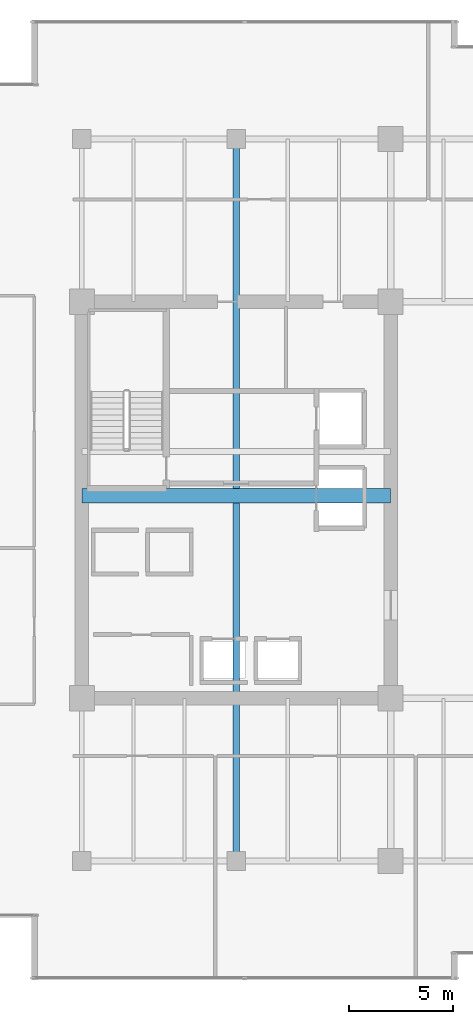
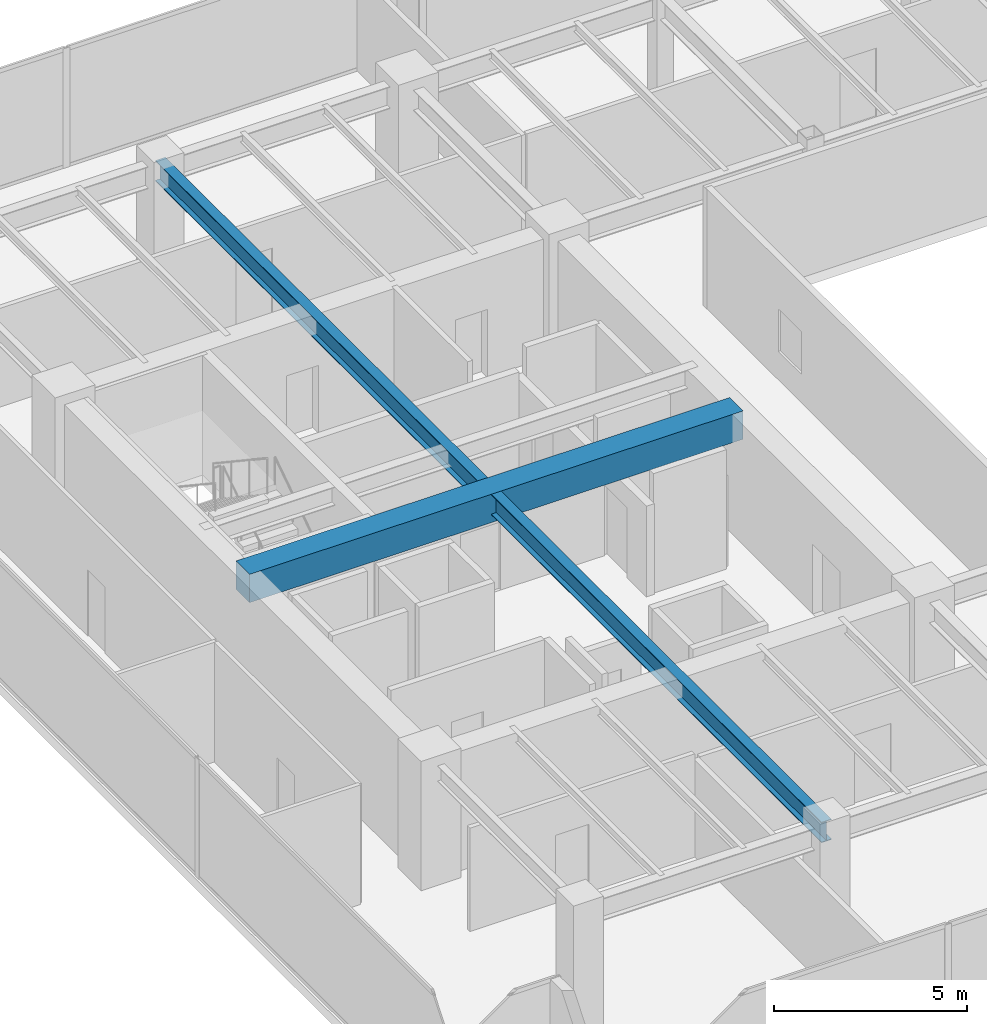
# One storey, part 7 of 30: 2 beams.
"""IFC4 building model written with IfcOpenShell, lengths in metres."""

from ifc_helpers import new_model, si_unit, direction, frame, origin, origin_2d, place, context, subcontext, project, spatial, rectangle, i_section, extrude, source, transform, mapped, material, material_profile, profile_set, type_object, type_shapes, element, save


model = new_model("IFC4")

# Units and contexts
model_context = context("Model", 3, precision=1e-05, world=origin(), true_north=direction((0.0, 1.0)))
body_context = subcontext(model_context, "Body", "Model", "MODEL_VIEW")
ifc_project = project(units=[si_unit("LENGTHUNIT", "METRE"), si_unit("AREAUNIT", "SQUARE_METRE"), si_unit("VOLUMEUNIT", "CUBIC_METRE"), si_unit("PLANEANGLEUNIT", "RADIAN"), si_unit("MASSUNIT", "GRAM", prefix="KILO")], contexts=[model_context])

# Site, building, storey
site_placement = place(None, origin())
site = spatial("IfcSite", under=ifc_project, at=site_placement, CompositionType="ELEMENT")
building_placement = place(site_placement, origin())
building = spatial("IfcBuilding", under=site, at=building_placement, Name="Haelvirn Gate Laboratories", CompositionType="ELEMENT")
storey_placement = place(building_placement, frame((0.0, 0.0, 129.699951171875)))
storey = spatial("IfcBuildingStorey", under=building, at=storey_placement, Name="L31", CompositionType="ELEMENT", Elevation=129.699951171875)

# Beams
ifc_material_1 = material(Name="Concrete C60/75", Category="concrete")
ifc_material_profile_1 = material_profile(ifc_material_1, rectangle(XDim=0.699951171875, YDim=0.89990234375, at=origin_2d()), Name="RCB-700x900")
ifc_profile_set_1 = profile_set([ifc_material_profile_1], Name="Concrete C60/75")
beam_type_1 = type_object("IfcBeamType", Name="BM-RCB-900", PredefinedType="LINTEL", material=ifc_profile_set_1)
shared_shape_1 = source(origin(), body_context, "Body", "SweptSolid", [
    extrude(rectangle(XDim=0.699951171875, YDim=0.89990234375, at=origin_2d()), origin(), (0.0, 0.0, 1.0), 14.800048828125),
])
type_shapes(beam_type_1, [shared_shape_1])
beam_1_placement = place(storey_placement, frame((7.39990234375, 24.5, 3.340087890625), z_axis=(1.0, 0.0, 0.0), x_axis=(0.0, 1.0, 0.0)))
element("IfcBeam", 1, at=beam_1_placement, inside=storey, type_object=beam_type_1, Name="L31 West Core Coupling Beam", PredefinedType="LINTEL", context=body_context, shape_type="MappedRepresentation", body=[
    mapped(shared_shape_1, transform((0.0, 0.0, 0.0), scale=1.0)),
])
ifc_material_2 = material(Name="Steel SM355", Category="steel")
ifc_material_profile_2 = material_profile(ifc_material_2, i_section(OverallWidth=0.300048828125, OverallDepth=0.64990234375, WebThickness=0.012939453125, FlangeThickness=0.02197265625, at=origin_2d()), Name="H-650x300x13x22")
ifc_profile_set_2 = profile_set([ifc_material_profile_2], Name="Steel SM355")
beam_type_2 = type_object("IfcBeamType", Name="BM-G-650", PredefinedType="BEAM", material=ifc_profile_set_2)
shared_shape_2 = source(origin(), body_context, "Body", "SweptSolid", [
    extrude(i_section(OverallWidth=0.300048828125, OverallDepth=0.64990234375, WebThickness=0.012939453125, FlangeThickness=0.02197265625, at=origin_2d()), origin(), (0.0, 0.0, 1.0), 34.60009765625),
])
type_shapes(beam_type_2, [shared_shape_2])
beam_2_placement = place(storey_placement, frame((14.800048828125, 7.0, 3.465087890625), z_axis=(0.0, 1.0, 0.0), x_axis=(-1.0, 0.0, 0.0)))
element("IfcBeam", 2, at=beam_2_placement, inside=storey, type_object=beam_type_2, Name="L31 Frame Girder X14.8 (7.0-41.6)", PredefinedType="BEAM", context=body_context, shape_type="MappedRepresentation", body=[
    mapped(shared_shape_2, transform((0.0, 0.0, 0.0), scale=1.0)),
])

save(model, "model.ifc")
